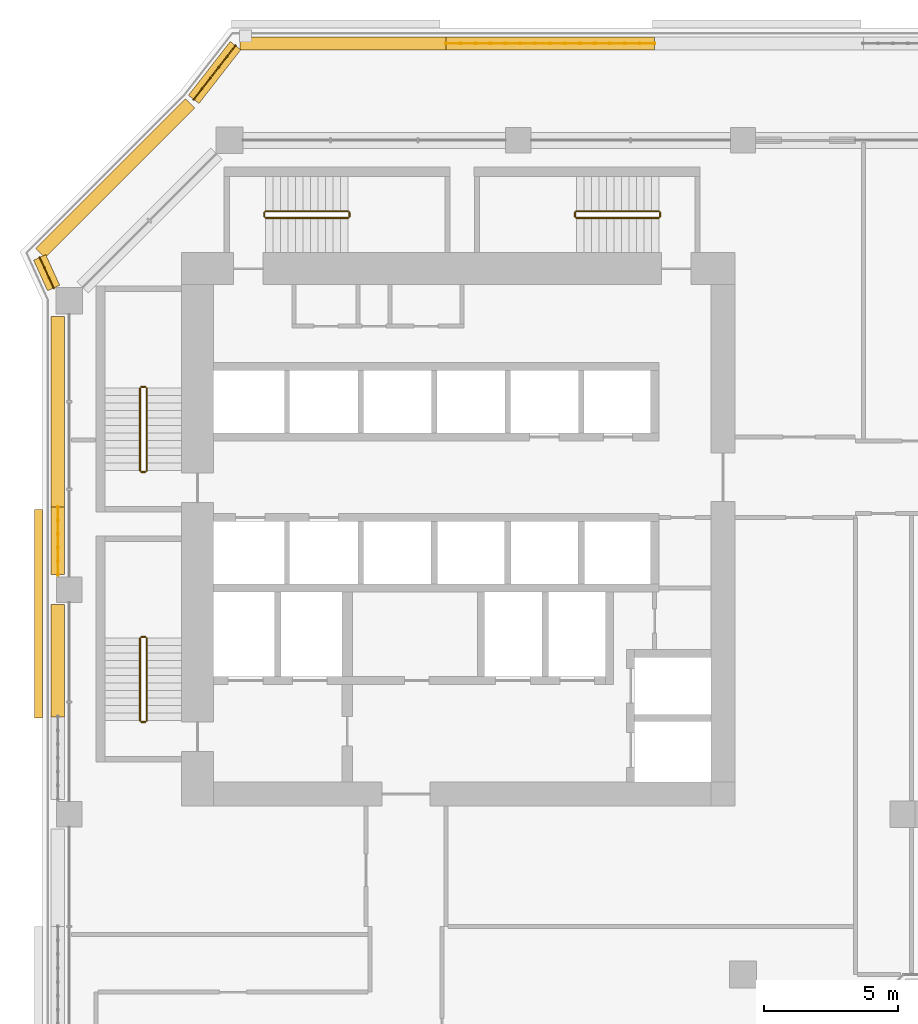
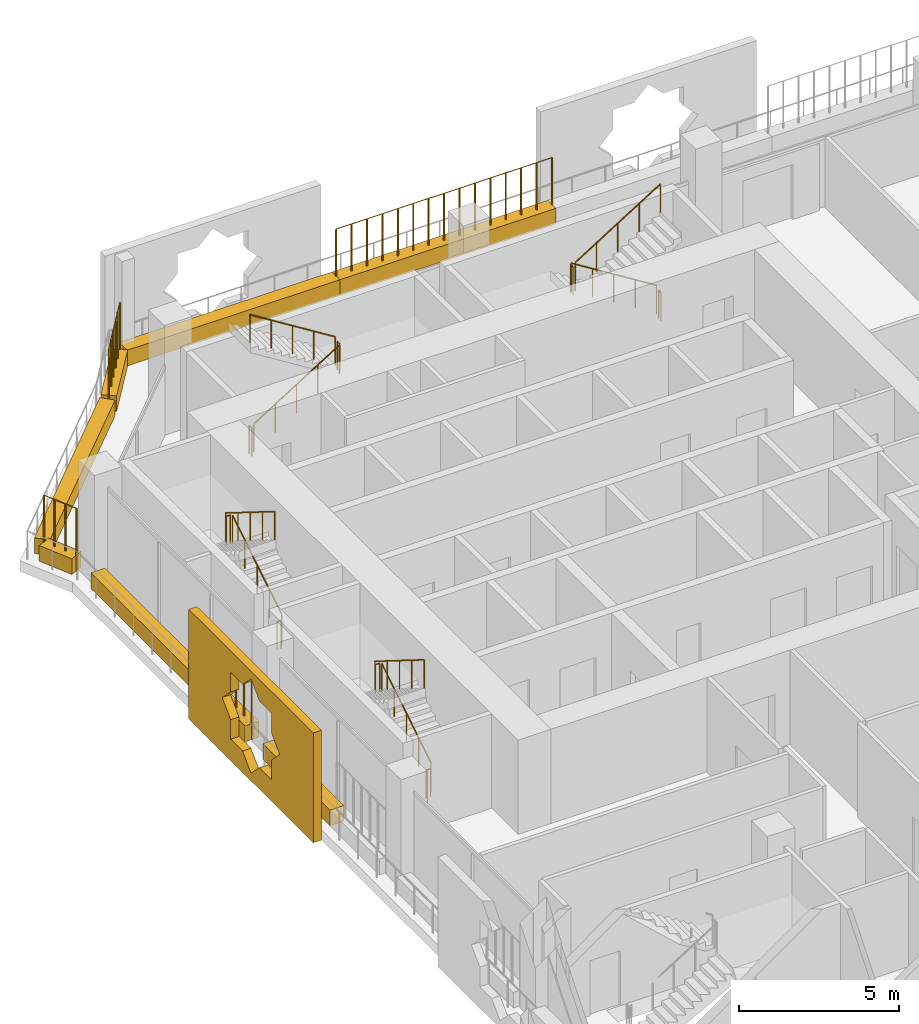
# One storey, part 22 of 24: 20 railings, 9 coverings.
"""IFC4 building model written with IfcOpenShell, lengths in metres."""

from ifc_helpers import new_model, si_unit, direction, frame, origin, origin_2d, place, context, subcontext, project, spatial, polyline, rectangle, circle, outline, extrude, material, material_profile, profile_set, type_object, element, save


model = new_model("IFC4")

# Units and contexts
model_context = context("Model", 3, precision=1e-05, world=origin(), true_north=direction((0.0, 1.0)))
body_context = subcontext(model_context, "Body", "Model", "MODEL_VIEW")
ifc_project = project(units=[si_unit("LENGTHUNIT", "METRE"), si_unit("AREAUNIT", "SQUARE_METRE"), si_unit("VOLUMEUNIT", "CUBIC_METRE"), si_unit("PLANEANGLEUNIT", "RADIAN"), si_unit("MASSUNIT", "GRAM", prefix="KILO")], contexts=[model_context])

# Site, building, storey
site_placement = place(None, origin())
site = spatial("IfcSite", under=ifc_project, at=site_placement, CompositionType="ELEMENT")
building_placement = place(site_placement, origin())
building = spatial("IfcBuilding", under=site, at=building_placement, Name="Kawkab Arch Medical Tower", CompositionType="ELEMENT")
storey_placement = place(building_placement, frame((0.0, 0.0, 162.60009765625)))
storey = spatial("IfcBuildingStorey", under=building, at=storey_placement, Name="L37", CompositionType="ELEMENT", Elevation=162.60009765625)

# Coverings
ifc_material_1 = material(Name="Bronze anodised aluminium mashrabiya panel, eight-point star pattern", Category="aluminium")
ifc_material_profile_1 = material_profile(ifc_material_1, outline(polyline([(-3.89990234375, -2.10009765625), (3.89990234375, -2.10009765625), (3.89990234375, 2.10009765625), (-3.89990234375, 2.10009765625), (-3.89990234375, -2.10009765625)]), holes=[polyline([(1.800048828125, 0.0), (1.272705078125, 0.527099609375), (1.272705078125, 1.272705078125), (0.527099609375, 1.272705078125), (0.0, 1.800048828125), (-0.527099609375, 1.272705078125), (-1.272705078125, 1.272705078125), (-1.272705078125, 0.527099609375), (-1.800048828125, 0.0), (-1.272705078125, -0.527099609375), (-1.272705078125, -1.272705078125), (-0.527099609375, -1.272705078125), (0.0, -1.800048828125), (0.527099609375, -1.272705078125), (1.272705078125, -1.272705078125), (1.272705078125, -0.527099609375), (1.800048828125, 0.0)])]), Name="Mashrabiya panel 7800x4200")
ifc_profile_set_1 = profile_set([ifc_material_profile_1], Name="Bronze anodised aluminium mashrabiya panel, eight-point star pattern")
covering_type_1 = type_object("IfcCoveringType", Name="Mashrabiya panel 7800 x 4200", PredefinedType="USERDEFINED", material=ifc_profile_set_1)
covering_1_placement = place(storey_placement, frame((-1.0, -17.698974609375, 1.699951171875), z_axis=(-1.0, 0.0, 0.0), x_axis=(0.0, -1.0, 0.0)))
element("IfcCovering", 1, at=covering_1_placement, inside=storey, type_object=covering_type_1, Name="Mashrabiya panel L37.LOG-01-02.4", ObjectType="SCREEN", PredefinedType="USERDEFINED", context=body_context, shape_type="SweptSolid", body=[
    extrude(outline(polyline([(-3.89990234375, -2.10009765625), (3.89990234375, -2.10009765625), (3.89990234375, 2.10009765625), (-3.89990234375, 2.10009765625), (-3.89990234375, -2.10009765625)]), holes=[polyline([(1.800048828125, 0.0), (1.272705078125, 0.527099609375), (1.272705078125, 1.272705078125), (0.527099609375, 1.272705078125), (0.0, 1.800048828125), (-0.527099609375, 1.272705078125), (-1.272705078125, 1.272705078125), (-1.272705078125, 0.527099609375), (-1.800048828125, 0.0), (-1.272705078125, -0.527099609375), (-1.272705078125, -1.272705078125), (-0.527099609375, -1.272705078125), (0.0, -1.800048828125), (0.527099609375, -1.272705078125), (1.272705078125, -1.272705078125), (1.272705078125, -0.527099609375), (1.800048828125, 0.0)])]), origin(), (0.0, 0.0, 1.0), 0.300048828125),
])
ifc_material_2 = material(Name="Planting soil in a precast trough", Category="concrete")
ifc_material_profile_2 = material_profile(ifc_material_2, rectangle(XDim=0.5, YDim=0.60009765625, at=origin_2d()), Name="Trough 500x600")
ifc_profile_set_2 = profile_set([ifc_material_profile_2], Name="Planting soil in a precast trough")
covering_type_2 = type_object("IfcCoveringType", Name="Planter trough 500 x 600", PredefinedType="USERDEFINED", material=ifc_profile_set_2)
covering_2_placement = place(storey_placement, frame((-0.419921875, -21.55810546875, 0.2998046875), z_axis=(0.0, 1.0, 0.0), x_axis=(-1.0, 0.0, 0.0)))
element("IfcCovering", 2, at=covering_2_placement, inside=storey, type_object=covering_type_2, Name="Planter L37.LOG-01-02.14", ObjectType="PLANTER", PredefinedType="USERDEFINED", context=body_context, shape_type="SweptSolid", body=[
    extrude(rectangle(XDim=0.5, YDim=0.60009765625, at=origin_2d()), origin(), (0.0, 0.0, 1.0), 4.203125),
])
covering_3_placement = place(storey_placement, frame((-0.419921875, -16.2451171875, 0.2998046875), z_axis=(0.0, 1.0, 0.0), x_axis=(-1.0, 0.0, 0.0)))
element("IfcCovering", 3, at=covering_3_placement, inside=storey, type_object=covering_type_2, Name="Planter L37.LOG-01-02.15", ObjectType="PLANTER", PredefinedType="USERDEFINED", context=body_context, shape_type="SweptSolid", body=[
    extrude(rectangle(XDim=0.5, YDim=0.60009765625, at=origin_2d()), origin(), (0.0, 0.0, 1.0), 2.529052734375),
])
covering_4_placement = place(storey_placement, frame((-0.419921875, -13.716064453125, 0.2998046875), z_axis=(0.0, 1.0, 0.0), x_axis=(-1.0, 0.0, 0.0)))
element("IfcCovering", 4, at=covering_4_placement, inside=storey, type_object=covering_type_2, Name="Planter L37.LOG-01-02.16", ObjectType="PLANTER", PredefinedType="USERDEFINED", context=body_context, shape_type="SweptSolid", body=[
    extrude(rectangle(XDim=0.5, YDim=0.60009765625, at=origin_2d()), origin(), (0.0, 0.0, 1.0), 7.135986328125),
])
covering_5_placement = place(storey_placement, frame((-0.580078125, -5.52294921875, 0.2998046875), z_axis=(-0.415089762627, 0.909780461959, 0.0), x_axis=(-0.909780461959, -0.415089762627, 0.0)))
element("IfcCovering", 5, at=covering_5_placement, inside=storey, type_object=covering_type_2, Name="Planter L37.LOG-01-02.17", ObjectType="PLANTER", PredefinedType="USERDEFINED", context=body_context, shape_type="SweptSolid", body=[
    extrude(rectangle(XDim=0.5, YDim=0.60009765625, at=origin_2d()), origin(), (0.0, 0.0, 1.0), 1.257568359375),
])
covering_6_placement = place(storey_placement, frame((-1.072998046875, -4.217041015625, 0.2998046875), z_axis=(0.707106781187, 0.707106781187, 0.0), x_axis=(-0.707106781187, 0.707106781187, 0.0)))
element("IfcCovering", 6, at=covering_6_placement, inside=storey, type_object=covering_type_2, Name="Planter L37.LOG-01-02.18", ObjectType="PLANTER", PredefinedType="USERDEFINED", context=body_context, shape_type="SweptSolid", body=[
    extrude(rectangle(XDim=0.5, YDim=0.60009765625, at=origin_2d()), origin(), (0.0, 0.0, 1.0), 7.919677734375),
])
covering_7_placement = place(storey_placement, frame((4.658935546875, 1.531982421875, 0.2998046875), z_axis=(0.61404021143, 0.789274742246, 0.0), x_axis=(-0.789274742246, 0.61404021143, 0.0)))
element("IfcCovering", 7, at=covering_7_placement, inside=storey, type_object=covering_type_2, Name="Planter L37.LOG-01-02.19", ObjectType="PLANTER", PredefinedType="USERDEFINED", context=body_context, shape_type="SweptSolid", body=[
    extrude(rectangle(XDim=0.5, YDim=0.60009765625, at=origin_2d()), origin(), (0.0, 0.0, 1.0), 2.54541015625),
])
covering_8_placement = place(storey_placement, frame((6.384033203125, 3.6201171875, 0.2998046875), z_axis=(1.0, 0.0, 0.0), x_axis=(0.0, 1.0, 0.0)))
element("IfcCovering", 8, at=covering_8_placement, inside=storey, type_object=covering_type_2, Name="Planter L37.LOG-01-02.20", ObjectType="PLANTER", PredefinedType="USERDEFINED", context=body_context, shape_type="SweptSolid", body=[
    extrude(rectangle(XDim=0.5, YDim=0.60009765625, at=origin_2d()), origin(), (0.0, 0.0, 1.0), 7.703857421875),
])
covering_9_placement = place(storey_placement, frame((14.087890625, 3.6201171875, 0.2998046875), z_axis=(1.0, 0.0, 0.0), x_axis=(0.0, 1.0, 0.0)))
element("IfcCovering", 9, at=covering_9_placement, inside=storey, type_object=covering_type_2, Name="Planter L37.LOG-01-02.21", ObjectType="PLANTER", PredefinedType="USERDEFINED", context=body_context, shape_type="SweptSolid", body=[
    extrude(rectangle(XDim=0.5, YDim=0.60009765625, at=origin_2d()), origin(), (0.0, 0.0, 1.0), 7.80517578125),
])

# Railings
ifc_material_3 = material(Name="Bronze anodised aluminium trellis for climbing plants", Category="aluminium")
railing_type_1 = type_object("IfcRailingType", Name="Planting trellis 2400", PredefinedType="USERDEFINED", material=ifc_material_3)
railing_1_placement = place(storey_placement, frame((-0.419921875, -16.2451171875, 0.0)))
element("IfcRailing", 10, at=railing_1_placement, inside=storey, type_object=railing_type_1, Name="Planting trellis L37.LOG-01-02.15", ObjectType="TRELLIS", PredefinedType="USERDEFINED", context=body_context, shape_type="SweptSolid", body=[
    extrude(circle(Radius=0.01513671875, at=origin_2d()), frame((0.0, 0.0, 2.384765625), z_axis=(0.0, 1.0, 0.0), x_axis=(-1.0, 0.0, 0.0)), (0.0, 0.0, 1.0), 2.529052734375),
    extrude(circle(Radius=0.030029296875, at=origin_2d()), origin(), (0.0, 0.0, 1.0), 2.369873046875),
    extrude(circle(Radius=0.030029296875, at=origin_2d()), frame((0.0, 0.505859375, 0.0)), (0.0, 0.0, 1.0), 2.369873046875),
    extrude(circle(Radius=0.030029296875, at=origin_2d()), frame((0.0, 1.01171875, 0.0)), (0.0, 0.0, 1.0), 2.369873046875),
    extrude(circle(Radius=0.030029296875, at=origin_2d()), frame((0.0, 1.517333984375, 0.0)), (0.0, 0.0, 1.0), 2.369873046875),
    extrude(circle(Radius=0.030029296875, at=origin_2d()), frame((0.0, 2.023193359375, 0.0)), (0.0, 0.0, 1.0), 2.369873046875),
    extrude(circle(Radius=0.030029296875, at=origin_2d()), frame((0.0, 2.529052734375, 0.0)), (0.0, 0.0, 1.0), 2.369873046875),
])
railing_2_placement = place(storey_placement, frame((-0.580078125, -5.52294921875, 0.0)))
element("IfcRailing", 11, at=railing_2_placement, inside=storey, type_object=railing_type_1, Name="Planting trellis L37.LOG-01-02.17", ObjectType="TRELLIS", PredefinedType="USERDEFINED", context=body_context, shape_type="SweptSolid", body=[
    extrude(circle(Radius=0.01513671875, at=origin_2d()), frame((0.0, 0.0, 2.384765625), z_axis=(-0.415089762627, 0.909780461959, 0.0), x_axis=(-0.909780461959, -0.415089762627, 0.0)), (0.0, 0.0, 1.0), 1.257568359375),
    extrude(circle(Radius=0.030029296875, at=origin_2d()), origin(), (0.0, 0.0, 1.0), 2.369873046875),
    extrude(circle(Radius=0.030029296875, at=origin_2d()), frame((-0.174072265625, 0.38134765625, 0.0)), (0.0, 0.0, 1.0), 2.369873046875),
    extrude(circle(Radius=0.030029296875, at=origin_2d()), frame((-0.347900390625, 0.7626953125, 0.0)), (0.0, 0.0, 1.0), 2.369873046875),
    extrude(circle(Radius=0.030029296875, at=origin_2d()), frame((-0.52197265625, 1.14404296875, 0.0)), (0.0, 0.0, 1.0), 2.369873046875),
])
railing_3_placement = place(storey_placement, frame((4.658935546875, 1.531982421875, 0.0)))
element("IfcRailing", 12, at=railing_3_placement, inside=storey, type_object=railing_type_1, Name="Planting trellis L37.LOG-01-02.19", ObjectType="TRELLIS", PredefinedType="USERDEFINED", context=body_context, shape_type="SweptSolid", body=[
    extrude(circle(Radius=0.01513671875, at=origin_2d()), frame((0.0, 0.0, 2.384765625), z_axis=(0.61404021143, 0.789274742246, 0.0), x_axis=(-0.789274742246, 0.61404021143, 0.0)), (0.0, 0.0, 1.0), 2.54541015625),
    extrude(circle(Radius=0.030029296875, at=origin_2d()), origin(), (0.0, 0.0, 1.0), 2.369873046875),
    extrude(circle(Radius=0.030029296875, at=origin_2d()), frame((0.3125, 0.40185546875, 0.0)), (0.0, 0.0, 1.0), 2.369873046875),
    extrude(circle(Radius=0.030029296875, at=origin_2d()), frame((0.625244140625, 0.8037109375, 0.0)), (0.0, 0.0, 1.0), 2.369873046875),
    extrude(circle(Radius=0.030029296875, at=origin_2d()), frame((0.937744140625, 1.205322265625, 0.0)), (0.0, 0.0, 1.0), 2.369873046875),
    extrude(circle(Radius=0.030029296875, at=origin_2d()), frame((1.25048828125, 1.607177734375, 0.0)), (0.0, 0.0, 1.0), 2.369873046875),
    extrude(circle(Radius=0.030029296875, at=origin_2d()), frame((1.56298828125, 2.009033203125, 0.0)), (0.0, 0.0, 1.0), 2.369873046875),
])
railing_4_placement = place(storey_placement, frame((14.087890625, 3.6201171875, 0.0)))
element("IfcRailing", 13, at=railing_4_placement, inside=storey, type_object=railing_type_1, Name="Planting trellis L37.LOG-01-02.21", ObjectType="TRELLIS", PredefinedType="USERDEFINED", context=body_context, shape_type="SweptSolid", body=[
    extrude(circle(Radius=0.01513671875, at=origin_2d()), frame((0.0, 0.0, 2.384765625), z_axis=(1.0, 0.0, 0.0), x_axis=(0.0, 1.0, 0.0)), (0.0, 0.0, 1.0), 7.80517578125),
    extrude(circle(Radius=0.030029296875, at=origin_2d()), origin(), (0.0, 0.0, 1.0), 2.369873046875),
    extrude(circle(Radius=0.030029296875, at=origin_2d()), frame((0.5576171875, 0.0, 0.0)), (0.0, 0.0, 1.0), 2.369873046875),
    extrude(circle(Radius=0.030029296875, at=origin_2d()), frame((1.114990234375, 0.0, 0.0)), (0.0, 0.0, 1.0), 2.369873046875),
    extrude(circle(Radius=0.030029296875, at=origin_2d()), frame((1.672607421875, 0.0, 0.0)), (0.0, 0.0, 1.0), 2.369873046875),
    extrude(circle(Radius=0.030029296875, at=origin_2d()), frame((2.22998046875, 0.0, 0.0)), (0.0, 0.0, 1.0), 2.369873046875),
    extrude(circle(Radius=0.030029296875, at=origin_2d()), frame((2.78759765625, 0.0, 0.0)), (0.0, 0.0, 1.0), 2.369873046875),
    extrude(circle(Radius=0.030029296875, at=origin_2d()), frame((3.344970703125, 0.0, 0.0)), (0.0, 0.0, 1.0), 2.369873046875),
    extrude(circle(Radius=0.030029296875, at=origin_2d()), frame((3.902587890625, 0.0, 0.0)), (0.0, 0.0, 1.0), 2.369873046875),
    extrude(circle(Radius=0.030029296875, at=origin_2d()), frame((4.460205078125, 0.0, 0.0)), (0.0, 0.0, 1.0), 2.369873046875),
    extrude(circle(Radius=0.030029296875, at=origin_2d()), frame((5.017578125, 0.0, 0.0)), (0.0, 0.0, 1.0), 2.369873046875),
    extrude(circle(Radius=0.030029296875, at=origin_2d()), frame((5.5751953125, 0.0, 0.0)), (0.0, 0.0, 1.0), 2.369873046875),
    extrude(circle(Radius=0.030029296875, at=origin_2d()), frame((6.132568359375, 0.0, 0.0)), (0.0, 0.0, 1.0), 2.369873046875),
    extrude(circle(Radius=0.030029296875, at=origin_2d()), frame((6.690185546875, 0.0, 0.0)), (0.0, 0.0, 1.0), 2.369873046875),
    extrude(circle(Radius=0.030029296875, at=origin_2d()), frame((7.24755859375, 0.0, 0.0)), (0.0, 0.0, 1.0), 2.369873046875),
    extrude(circle(Radius=0.030029296875, at=origin_2d()), frame((7.80517578125, 0.0, 0.0)), (0.0, 0.0, 1.0), 2.369873046875),
])
ifc_material_4 = material(Name="Stainless steel", Category="steel")
railing_type_2 = type_object("IfcRailingType", Name="Stair guard 1100", PredefinedType="GUARDRAIL", material=ifc_material_4)
railing_5_placement = place(storey_placement, frame((2.89990234375, -12.35009765625, 0.1748046875)))
element("IfcRailing", 14, at=railing_5_placement, inside=storey, type_object=railing_type_2, Name="L37 ST1 stair guard 1", PredefinedType="GUARDRAIL", context=body_context, shape_type="SweptSolid", body=[
    extrude(circle(Radius=0.02392578125, at=origin_2d()), frame((0.0, 0.0, 1.076171875), z_axis=(0.0, 0.847998304005, 0.529998940003), x_axis=(-1.0, 0.0, 0.0)), (0.0, 0.0, 1.0), 3.632080078125),
    extrude(circle(Radius=0.02099609375, at=origin_2d()), origin(), (0.0, 0.0, 1.0), 1.052001953125),
    extrude(circle(Radius=0.02099609375, at=origin_2d()), frame((0.0, 0.77001953125, 0.481201171875)), (0.0, 0.0, 1.0), 1.052001953125),
    extrude(circle(Radius=0.02099609375, at=origin_2d()), frame((0.0, 1.5400390625, 0.96240234375)), (0.0, 0.0, 1.0), 1.052001953125),
    extrude(circle(Radius=0.02099609375, at=origin_2d()), frame((0.0, 2.31005859375, 1.44384765625)), (0.0, 0.0, 1.0), 1.052001953125),
    extrude(circle(Radius=0.02099609375, at=origin_2d()), frame((0.0, 3.080078125, 1.925048828125)), (0.0, 0.0, 1.0), 1.052001953125),
])
railing_6_placement = place(storey_placement, frame((2.85009765625, -9.219970703125, 2.099853515625)))
element("IfcRailing", 15, at=railing_6_placement, inside=storey, type_object=railing_type_2, Name="L37 ST1 stair guard 2", PredefinedType="GUARDRAIL", context=body_context, shape_type="SweptSolid", body=[
    extrude(circle(Radius=0.02392578125, at=origin_2d()), frame((0.0, 0.0, 1.076171875), z_axis=(-1.0, 0.0, 0.0), x_axis=(0.0, -1.0, 0.0)), (0.0, 0.0, 1.0), 0.150146484375),
    extrude(circle(Radius=0.02099609375, at=origin_2d()), origin(), (0.0, 0.0, 1.0), 1.052001953125),
    extrude(circle(Radius=0.02099609375, at=origin_2d()), frame((-0.150146484375, 0.0, 0.0)), (0.0, 0.0, 1.0), 1.052001953125),
])
railing_7_placement = place(storey_placement, frame((2.64990234375, -9.27001953125, 2.27490234375)))
element("IfcRailing", 16, at=railing_7_placement, inside=storey, type_object=railing_type_2, Name="L37 ST1 stair guard 3", PredefinedType="GUARDRAIL", context=body_context, shape_type="SweptSolid", body=[
    extrude(circle(Radius=0.02392578125, at=origin_2d()), frame((0.0, 0.0, 1.076171875), z_axis=(0.0, -0.847998304005, 0.529998940003), x_axis=(1.0, 0.0, 0.0)), (0.0, 0.0, 1.0), 3.632080078125),
    extrude(circle(Radius=0.02099609375, at=origin_2d()), origin(), (0.0, 0.0, 1.0), 1.052001953125),
    extrude(circle(Radius=0.02099609375, at=origin_2d()), frame((0.0, -0.77001953125, 0.481201171875)), (0.0, 0.0, 1.0), 1.052001953125),
    extrude(circle(Radius=0.02099609375, at=origin_2d()), frame((0.0, -1.5400390625, 0.96240234375)), (0.0, 0.0, 1.0), 1.052001953125),
    extrude(circle(Radius=0.02099609375, at=origin_2d()), frame((0.0, -2.31005859375, 1.44384765625)), (0.0, 0.0, 1.0), 1.052001953125),
    extrude(circle(Radius=0.02099609375, at=origin_2d()), frame((0.0, -3.080078125, 1.925048828125)), (0.0, 0.0, 1.0), 1.052001953125),
])
railing_8_placement = place(storey_placement, frame((2.85009765625, -12.39990234375, 0.0)))
element("IfcRailing", 17, at=railing_8_placement, inside=storey, type_object=railing_type_2, Name="L37 ST1 stair guard 4", PredefinedType="GUARDRAIL", context=body_context, shape_type="SweptSolid", body=[
    extrude(circle(Radius=0.02392578125, at=origin_2d()), frame((0.0, 0.0, 1.076171875), z_axis=(-1.0, 0.0, 0.0), x_axis=(0.0, -1.0, 0.0)), (0.0, 0.0, 1.0), 0.150146484375),
    extrude(circle(Radius=0.02099609375, at=origin_2d()), origin(), (0.0, 0.0, 1.0), 1.052001953125),
    extrude(circle(Radius=0.02099609375, at=origin_2d()), frame((-0.150146484375, 0.0, 0.0)), (0.0, 0.0, 1.0), 1.052001953125),
])
railing_9_placement = place(storey_placement, frame((2.89990234375, -21.699951171875, 0.1748046875)))
element("IfcRailing", 18, at=railing_9_placement, inside=storey, type_object=railing_type_2, Name="L37 ST2 stair guard 1", PredefinedType="GUARDRAIL", context=body_context, shape_type="SweptSolid", body=[
    extrude(circle(Radius=0.02392578125, at=origin_2d()), frame((0.0, 0.0, 1.076171875), z_axis=(0.0, 0.847979421464, 0.530029150871), x_axis=(-1.0, 0.0, 0.0)), (0.0, 0.0, 1.0), 3.632080078125),
    extrude(circle(Radius=0.02099609375, at=origin_2d()), origin(), (0.0, 0.0, 1.0), 1.052001953125),
    extrude(circle(Radius=0.02099609375, at=origin_2d()), frame((0.0, 0.77001953125, 0.481201171875)), (0.0, 0.0, 1.0), 1.052001953125),
    extrude(circle(Radius=0.02099609375, at=origin_2d()), frame((0.0, 1.5400390625, 0.96240234375)), (0.0, 0.0, 1.0), 1.052001953125),
    extrude(circle(Radius=0.02099609375, at=origin_2d()), frame((0.0, 2.309814453125, 1.44384765625)), (0.0, 0.0, 1.0), 1.052001953125),
    extrude(circle(Radius=0.02099609375, at=origin_2d()), frame((0.0, 3.079833984375, 1.925048828125)), (0.0, 0.0, 1.0), 1.052001953125),
])
railing_10_placement = place(storey_placement, frame((2.85009765625, -18.570068359375, 2.099853515625)))
element("IfcRailing", 19, at=railing_10_placement, inside=storey, type_object=railing_type_2, Name="L37 ST2 stair guard 2", PredefinedType="GUARDRAIL", context=body_context, shape_type="SweptSolid", body=[
    extrude(circle(Radius=0.02392578125, at=origin_2d()), frame((0.0, 0.0, 1.076171875), z_axis=(-1.0, 0.0, 0.0), x_axis=(0.0, -1.0, 0.0)), (0.0, 0.0, 1.0), 0.150146484375),
    extrude(circle(Radius=0.02099609375, at=origin_2d()), origin(), (0.0, 0.0, 1.0), 1.052001953125),
    extrude(circle(Radius=0.02099609375, at=origin_2d()), frame((-0.150146484375, 0.0, 0.0)), (0.0, 0.0, 1.0), 1.052001953125),
])
railing_11_placement = place(storey_placement, frame((2.64990234375, -18.6201171875, 2.27490234375)))
element("IfcRailing", 20, at=railing_11_placement, inside=storey, type_object=railing_type_2, Name="L37 ST2 stair guard 3", PredefinedType="GUARDRAIL", context=body_context, shape_type="SweptSolid", body=[
    extrude(circle(Radius=0.02392578125, at=origin_2d()), frame((0.0, 0.0, 1.076171875), z_axis=(0.0, -0.847979421464, 0.530029150871), x_axis=(1.0, 0.0, 0.0)), (0.0, 0.0, 1.0), 3.632080078125),
    extrude(circle(Radius=0.02099609375, at=origin_2d()), origin(), (0.0, 0.0, 1.0), 1.052001953125),
    extrude(circle(Radius=0.02099609375, at=origin_2d()), frame((0.0, -0.77001953125, 0.481201171875)), (0.0, 0.0, 1.0), 1.052001953125),
    extrude(circle(Radius=0.02099609375, at=origin_2d()), frame((0.0, -1.5400390625, 0.96240234375)), (0.0, 0.0, 1.0), 1.052001953125),
    extrude(circle(Radius=0.02099609375, at=origin_2d()), frame((0.0, -2.309814453125, 1.44384765625)), (0.0, 0.0, 1.0), 1.052001953125),
    extrude(circle(Radius=0.02099609375, at=origin_2d()), frame((0.0, -3.079833984375, 1.925048828125)), (0.0, 0.0, 1.0), 1.052001953125),
])
railing_12_placement = place(storey_placement, frame((2.85009765625, -21.75, 0.0)))
element("IfcRailing", 21, at=railing_12_placement, inside=storey, type_object=railing_type_2, Name="L37 ST2 stair guard 4", PredefinedType="GUARDRAIL", context=body_context, shape_type="SweptSolid", body=[
    extrude(circle(Radius=0.02392578125, at=origin_2d()), frame((0.0, 0.0, 1.076171875), z_axis=(-1.0, 0.0, 0.0), x_axis=(0.0, -1.0, 0.0)), (0.0, 0.0, 1.0), 0.150146484375),
    extrude(circle(Radius=0.02099609375, at=origin_2d()), origin(), (0.0, 0.0, 1.0), 1.052001953125),
    extrude(circle(Radius=0.02099609375, at=origin_2d()), frame((-0.150146484375, 0.0, 0.0)), (0.0, 0.0, 1.0), 1.052001953125),
])
railing_13_placement = place(storey_placement, frame((7.35009765625, -2.89990234375, 0.1748046875)))
element("IfcRailing", 22, at=railing_13_placement, inside=storey, type_object=railing_type_2, Name="L37 ST3 stair guard 1", PredefinedType="GUARDRAIL", context=body_context, shape_type="SweptSolid", body=[
    extrude(circle(Radius=0.02392578125, at=origin_2d()), frame((0.0, 0.0, 1.076171875), z_axis=(0.847979421464, 0.0, 0.530029150871), x_axis=(0.0, 1.0, 0.0)), (0.0, 0.0, 1.0), 3.632080078125),
    extrude(circle(Radius=0.02099609375, at=origin_2d()), origin(), (0.0, 0.0, 1.0), 1.052001953125),
    extrude(circle(Radius=0.02099609375, at=origin_2d()), frame((0.77001953125, 0.0, 0.481201171875)), (0.0, 0.0, 1.0), 1.052001953125),
    extrude(circle(Radius=0.02099609375, at=origin_2d()), frame((1.5400390625, 0.0, 0.96240234375)), (0.0, 0.0, 1.0), 1.052001953125),
    extrude(circle(Radius=0.02099609375, at=origin_2d()), frame((2.309814453125, 0.0, 1.44384765625)), (0.0, 0.0, 1.0), 1.052001953125),
    extrude(circle(Radius=0.02099609375, at=origin_2d()), frame((3.079833984375, 0.0, 1.925048828125)), (0.0, 0.0, 1.0), 1.052001953125),
])
railing_14_placement = place(storey_placement, frame((10.47998046875, -2.85009765625, 2.099853515625)))
element("IfcRailing", 23, at=railing_14_placement, inside=storey, type_object=railing_type_2, Name="L37 ST3 stair guard 2", PredefinedType="GUARDRAIL", context=body_context, shape_type="SweptSolid", body=[
    extrude(circle(Radius=0.02392578125, at=origin_2d()), frame((0.0, 0.0, 1.076171875), z_axis=(0.0, 1.0, 0.0), x_axis=(-1.0, 0.0, 0.0)), (0.0, 0.0, 1.0), 0.150146484375),
    extrude(circle(Radius=0.02099609375, at=origin_2d()), origin(), (0.0, 0.0, 1.0), 1.052001953125),
    extrude(circle(Radius=0.02099609375, at=origin_2d()), frame((0.0, 0.150146484375, 0.0)), (0.0, 0.0, 1.0), 1.052001953125),
])
railing_15_placement = place(storey_placement, frame((10.429931640625, -2.64990234375, 2.27490234375)))
element("IfcRailing", 24, at=railing_15_placement, inside=storey, type_object=railing_type_2, Name="L37 ST3 stair guard 3", PredefinedType="GUARDRAIL", context=body_context, shape_type="SweptSolid", body=[
    extrude(circle(Radius=0.02392578125, at=origin_2d()), frame((0.0, 0.0, 1.076171875), z_axis=(-0.847979421464, 0.0, 0.530029150871), x_axis=(0.0, -1.0, 0.0)), (0.0, 0.0, 1.0), 3.632080078125),
    extrude(circle(Radius=0.02099609375, at=origin_2d()), origin(), (0.0, 0.0, 1.0), 1.052001953125),
    extrude(circle(Radius=0.02099609375, at=origin_2d()), frame((-0.77001953125, 0.0, 0.481201171875)), (0.0, 0.0, 1.0), 1.052001953125),
    extrude(circle(Radius=0.02099609375, at=origin_2d()), frame((-1.5400390625, 0.0, 0.96240234375)), (0.0, 0.0, 1.0), 1.052001953125),
    extrude(circle(Radius=0.02099609375, at=origin_2d()), frame((-2.309814453125, 0.0, 1.44384765625)), (0.0, 0.0, 1.0), 1.052001953125),
    extrude(circle(Radius=0.02099609375, at=origin_2d()), frame((-3.079833984375, 0.0, 1.925048828125)), (0.0, 0.0, 1.0), 1.052001953125),
])
railing_16_placement = place(storey_placement, frame((7.300048828125, -2.85009765625, 0.0)))
element("IfcRailing", 25, at=railing_16_placement, inside=storey, type_object=railing_type_2, Name="L37 ST3 stair guard 4", PredefinedType="GUARDRAIL", context=body_context, shape_type="SweptSolid", body=[
    extrude(circle(Radius=0.02392578125, at=origin_2d()), frame((0.0, 0.0, 1.076171875), z_axis=(0.0, 1.0, 0.0), x_axis=(-1.0, 0.0, 0.0)), (0.0, 0.0, 1.0), 0.150146484375),
    extrude(circle(Radius=0.02099609375, at=origin_2d()), origin(), (0.0, 0.0, 1.0), 1.052001953125),
    extrude(circle(Radius=0.02099609375, at=origin_2d()), frame((0.0, 0.150146484375, 0.0)), (0.0, 0.0, 1.0), 1.052001953125),
])
railing_17_placement = place(storey_placement, frame((22.050048828125, -2.64990234375, 0.1748046875)))
element("IfcRailing", 26, at=railing_17_placement, inside=storey, type_object=railing_type_2, Name="L37 ST4 stair guard 1", PredefinedType="GUARDRAIL", context=body_context, shape_type="SweptSolid", body=[
    extrude(circle(Radius=0.02392578125, at=origin_2d()), frame((0.0, 0.0, 1.076171875), z_axis=(-0.847998304005, 0.0, 0.529998940003), x_axis=(0.0, -1.0, 0.0)), (0.0, 0.0, 1.0), 3.632080078125),
    extrude(circle(Radius=0.02099609375, at=origin_2d()), origin(), (0.0, 0.0, 1.0), 1.052001953125),
    extrude(circle(Radius=0.02099609375, at=origin_2d()), frame((-0.77001953125, 0.0, 0.481201171875)), (0.0, 0.0, 1.0), 1.052001953125),
    extrude(circle(Radius=0.02099609375, at=origin_2d()), frame((-1.5400390625, 0.0, 0.96240234375)), (0.0, 0.0, 1.0), 1.052001953125),
    extrude(circle(Radius=0.02099609375, at=origin_2d()), frame((-2.31005859375, 0.0, 1.44384765625)), (0.0, 0.0, 1.0), 1.052001953125),
    extrude(circle(Radius=0.02099609375, at=origin_2d()), frame((-3.080078125, 0.0, 1.925048828125)), (0.0, 0.0, 1.0), 1.052001953125),
])
railing_18_placement = place(storey_placement, frame((18.919921875, -2.699951171875, 2.099853515625)))
element("IfcRailing", 27, at=railing_18_placement, inside=storey, type_object=railing_type_2, Name="L37 ST4 stair guard 2", PredefinedType="GUARDRAIL", context=body_context, shape_type="SweptSolid", body=[
    extrude(circle(Radius=0.02392578125, at=origin_2d()), frame((0.0, 0.0, 1.076171875), z_axis=(0.0, -1.0, 0.0), x_axis=(1.0, 0.0, 0.0)), (0.0, 0.0, 1.0), 0.150146484375),
    extrude(circle(Radius=0.02099609375, at=origin_2d()), origin(), (0.0, 0.0, 1.0), 1.052001953125),
    extrude(circle(Radius=0.02099609375, at=origin_2d()), frame((0.0, -0.150146484375, 0.0)), (0.0, 0.0, 1.0), 1.052001953125),
])
railing_19_placement = place(storey_placement, frame((18.969970703125, -2.89990234375, 2.27490234375)))
element("IfcRailing", 28, at=railing_19_placement, inside=storey, type_object=railing_type_2, Name="L37 ST4 stair guard 3", PredefinedType="GUARDRAIL", context=body_context, shape_type="SweptSolid", body=[
    extrude(circle(Radius=0.02392578125, at=origin_2d()), frame((0.0, 0.0, 1.076171875), z_axis=(0.847998304005, 0.0, 0.529998940003), x_axis=(0.0, 1.0, 0.0)), (0.0, 0.0, 1.0), 3.632080078125),
    extrude(circle(Radius=0.02099609375, at=origin_2d()), origin(), (0.0, 0.0, 1.0), 1.052001953125),
    extrude(circle(Radius=0.02099609375, at=origin_2d()), frame((0.77001953125, 0.0, 0.481201171875)), (0.0, 0.0, 1.0), 1.052001953125),
    extrude(circle(Radius=0.02099609375, at=origin_2d()), frame((1.5400390625, 0.0, 0.96240234375)), (0.0, 0.0, 1.0), 1.052001953125),
    extrude(circle(Radius=0.02099609375, at=origin_2d()), frame((2.31005859375, 0.0, 1.44384765625)), (0.0, 0.0, 1.0), 1.052001953125),
    extrude(circle(Radius=0.02099609375, at=origin_2d()), frame((3.080078125, 0.0, 1.925048828125)), (0.0, 0.0, 1.0), 1.052001953125),
])
railing_20_placement = place(storey_placement, frame((22.10009765625, -2.699951171875, 0.0)))
element("IfcRailing", 29, at=railing_20_placement, inside=storey, type_object=railing_type_2, Name="L37 ST4 stair guard 4", PredefinedType="GUARDRAIL", context=body_context, shape_type="SweptSolid", body=[
    extrude(circle(Radius=0.02392578125, at=origin_2d()), frame((0.0, 0.0, 1.076171875), z_axis=(0.0, -1.0, 0.0), x_axis=(1.0, 0.0, 0.0)), (0.0, 0.0, 1.0), 0.150146484375),
    extrude(circle(Radius=0.02099609375, at=origin_2d()), origin(), (0.0, 0.0, 1.0), 1.052001953125),
    extrude(circle(Radius=0.02099609375, at=origin_2d()), frame((0.0, -0.150146484375, 0.0)), (0.0, 0.0, 1.0), 1.052001953125),
])

save(model, "model.ifc")
